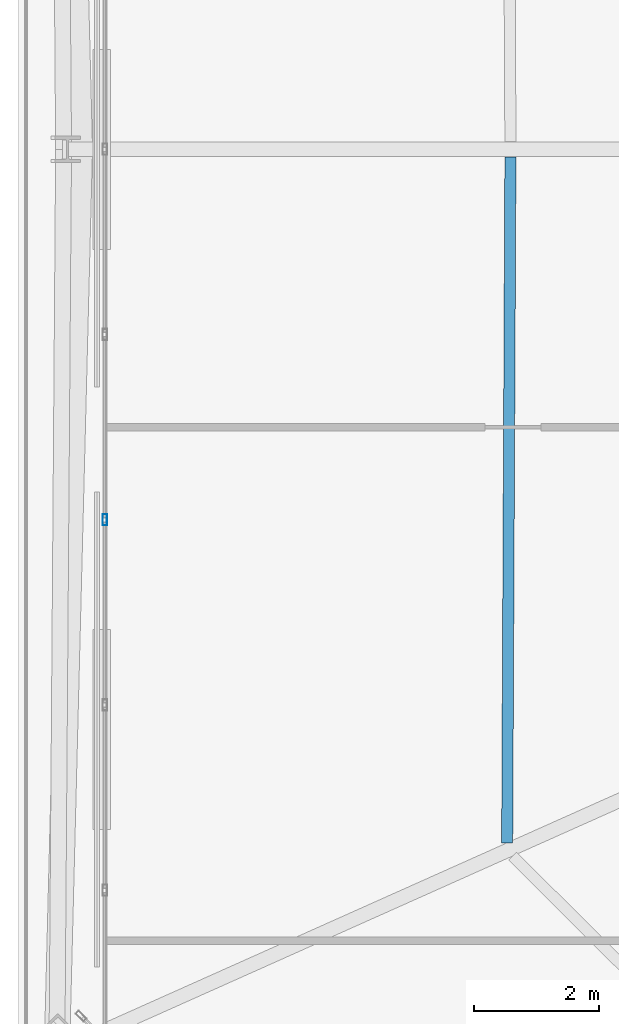
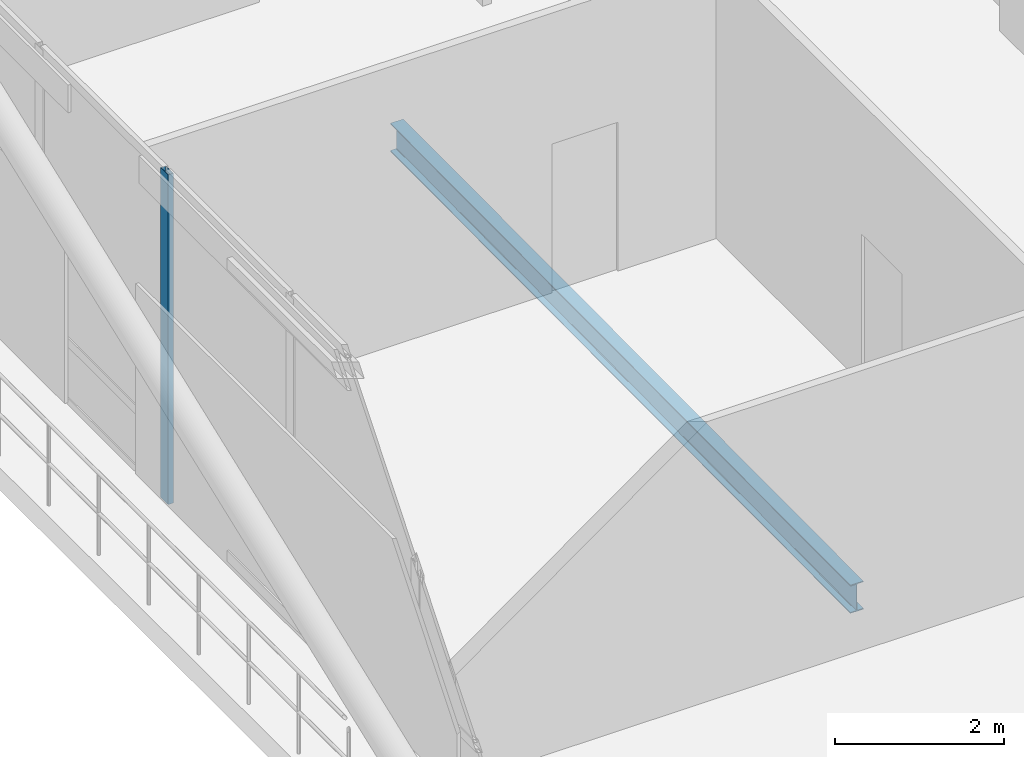
# One storey, part 7 of 34: 1 beam, 1 member, 1 element without a shape of its own.
"""IFC4 building model written with IfcOpenShell, lengths in metres."""

from ifc_helpers import new_model, si_unit, direction, frame, origin, origin_2d, place, context, subcontext, project, spatial, hollow_rectangle, i_section, extrude, material, layer, layer_set, material_profile, profile_set, type_object, element, aggregate, save


model = new_model("IFC4")

# Units and contexts
model_context = context("Model", 3, precision=1e-05, world=origin(), true_north=direction((0.0, 1.0)))
body_context = subcontext(model_context, "Body", "Model", "MODEL_VIEW")
ifc_project = project(units=[si_unit("LENGTHUNIT", "METRE"), si_unit("AREAUNIT", "SQUARE_METRE"), si_unit("VOLUMEUNIT", "CUBIC_METRE"), si_unit("PLANEANGLEUNIT", "RADIAN"), si_unit("MASSUNIT", "GRAM", prefix="KILO")], contexts=[model_context])

# Site, building, storey
site_placement = place(None, origin())
site = spatial("IfcSite", under=ifc_project, at=site_placement, CompositionType="ELEMENT")
building_placement = place(site_placement, origin())
building = spatial("IfcBuilding", under=site, at=building_placement, Name="Caelvoria Tower", CompositionType="ELEMENT")
storey_placement = place(building_placement, frame((0.0, 0.0, 172.0)))
storey = spatial("IfcBuildingStorey", under=building, at=storey_placement, Name="L45", CompositionType="ELEMENT", Elevation=172.0)

# Curtain wall, member
ifc_material_1 = material(Name="Anodised Bronze Aluminium and Low-E Glass", Category="aluminium")
ifc_layer = layer(ifc_material_1, 0.2099609375, Name="Anodised Bronze Aluminium and Low-E Glass")
ifc_layer_set = layer_set([ifc_layer], Name="CW System 3 Sky Lobby Double-Height Acoustic Facade - Anodised Bronze Aluminium and Low-E Glass")
curtain_wall_type = type_object("IfcCurtainWallType", Name="CW System 3 Sky Lobby Double-Height Acoustic Facade", PredefinedType="NOTDEFINED", material=ifc_layer_set)
curtain_wall_placement = place(storey_placement, origin())
curtain_wall = element("IfcCurtainWall", 1, at=curtain_wall_placement, inside=storey, type_object=curtain_wall_type, Name="CW-03 Curtain Wall L45-E6", PredefinedType="NOTDEFINED")
ifc_material_2 = material(Name="Anodised Bronze Architectural Aluminium", Category="aluminium")
ifc_material_profile_1 = material_profile(ifc_material_2, hollow_rectangle(XDim=0.070068359375, YDim=0.179931640625, WallThickness=0.00390625, at=origin_2d()), Name="Anodised Bronze Architectural Aluminium")
ifc_profile_set_1 = profile_set([ifc_material_profile_1], Name="CW_MULL_70X180 - Anodised Bronze Architectural Aluminium")
member_type = type_object("IfcMemberType", Name="Curtain Wall Mullion 70x180 Bronze Aluminium", PredefinedType="MULLION", material=ifc_profile_set_1)
member_placement = place(storey_placement, frame((23.360107421875, 26.072021484375, 0.0), z_axis=(0.0, 0.0, 1.0), x_axis=(1.0, 0.0, 0.0)))
member = element("IfcMember", 2, at=member_placement, type_object=member_type, Name="CW-03 mullion 8", PredefinedType="MULLION", context=body_context, shape_type="SweptSolid", body=[
    extrude(hollow_rectangle(XDim=0.070068359375, YDim=0.179931640625, WallThickness=0.00390625, at=origin_2d()), origin(), (0.0, 0.0, 1.0), 4.760009765625),
])
aggregate(curtain_wall, [member])

# Beam
ifc_material_3 = material(Name="Structural Steel ASTM A992 Gr.50", Category="steel")
ifc_material_profile_2 = material_profile(ifc_material_3, i_section(OverallWidth=0.177978515625, OverallDepth=0.406982421875, WebThickness=0.0078125, FlangeThickness=0.0126953125, FilletRadius=0.013916015625, at=origin_2d()), Name="Structural Steel ASTM A992 Gr.50")
ifc_profile_set_2 = profile_set([ifc_material_profile_2], Name="W410X60 - Structural Steel ASTM A992 Gr.50")
beam_type = type_object("IfcBeamType", Name="Secondary Floor Beam W410X60", PredefinedType="BEAM", material=ifc_profile_set_2)
beam_placement = place(storey_placement, frame((29.849365234375, 31.875, -0.5234375), z_axis=(-0.004762168668, -0.999988660811, 0.0), x_axis=(0.999988660811, -0.004762168668, 0.0)))
element("IfcBeam", 3, at=beam_placement, inside=storey, type_object=beam_type, Name="Secondary Floor Beam L45-10", PredefinedType="BEAM", context=body_context, shape_type="SweptSolid", body=[
    extrude(i_section(OverallWidth=0.177978515625, OverallDepth=0.406982421875, WebThickness=0.0078125, FlangeThickness=0.0126953125, FilletRadius=0.013916015625, at=origin_2d()), origin(), (0.0, 0.0, 1.0), 10.97119140625),
])

save(model, "model.ifc")
